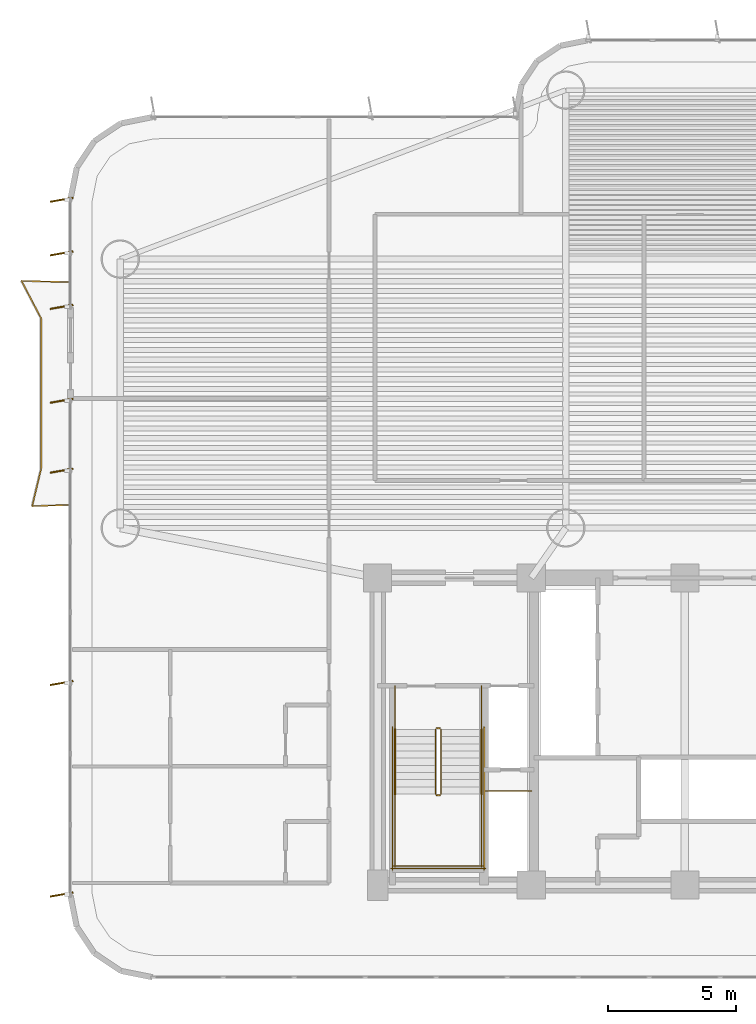
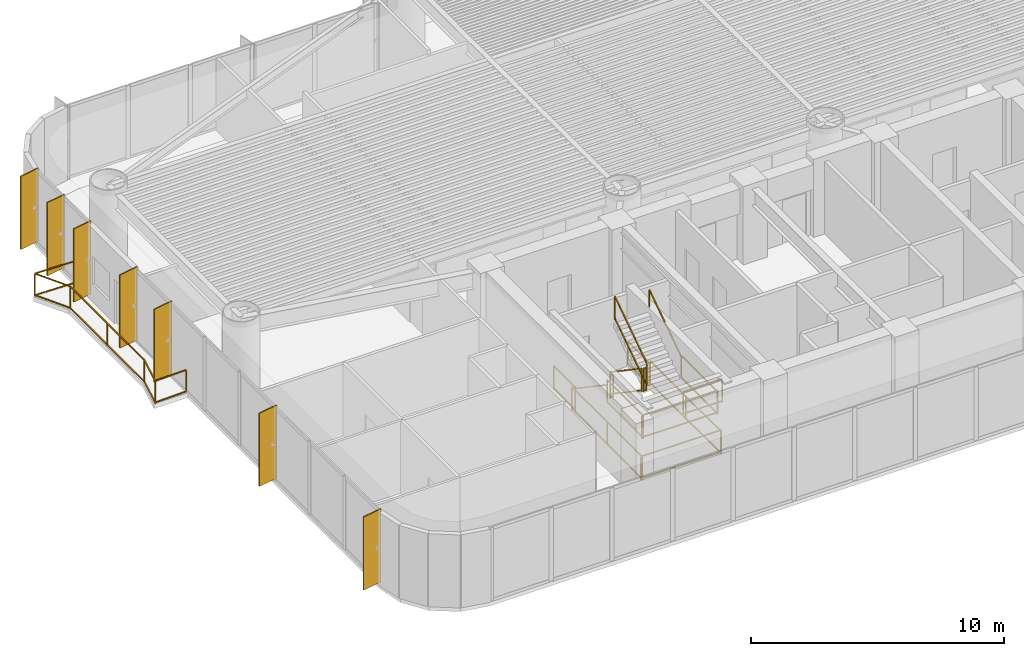
# One storey, part 14 of 17: 16 railings, 7 shading devices.
"""IFC4 building model written with IfcOpenShell, lengths in metres."""

from ifc_helpers import new_model, si_unit, direction, frame, origin, origin_2d, place, context, subcontext, project, spatial, rectangle, extrude, source, transform, mapped, material, layer, layer_set, material_profile, profile_set, type_object, element, save


model = new_model("IFC4")

# Units and contexts
model_context = context("Model", 3, precision=1e-05, world=origin(), true_north=direction((0.0, 1.0)))
body_context = subcontext(model_context, "Body", "Model", "MODEL_VIEW")
ifc_project = project(units=[si_unit("LENGTHUNIT", "METRE"), si_unit("AREAUNIT", "SQUARE_METRE"), si_unit("VOLUMEUNIT", "CUBIC_METRE"), si_unit("PLANEANGLEUNIT", "RADIAN"), si_unit("MASSUNIT", "GRAM", prefix="KILO")], contexts=[model_context])

# Site, building, storey
site_placement = place(None, origin())
site = spatial("IfcSite", under=ifc_project, at=site_placement, CompositionType="ELEMENT")
building_placement = place(site_placement, origin())
building = spatial("IfcBuilding", under=site, at=building_placement, Name="Brelvock Crest Care Tower", CompositionType="ELEMENT")
storey_placement = place(building_placement, frame((0.0, 0.0, 49.679931640625)))
storey = spatial("IfcBuildingStorey", under=building, at=storey_placement, Name="L12", CompositionType="ELEMENT", Elevation=49.679931640625)

# Railings
ifc_material_1 = material(Name="Dark Glass Double Glazed Low-E", Category="glass")
ifc_layer_1 = layer(ifc_material_1, 0.06005859375, Name="RL-BAL1")
ifc_layer_set_1 = layer_set([ifc_layer_1], Name="Dark Glass Double Glazed Low-E")
railing_type_1 = type_object("IfcRailingType", Name="RL-BAL1", PredefinedType="BALUSTRADE", material=ifc_layer_set_1)
railing_1_placement = place(storey_placement, frame((11.9599609375, 20.85009765625, 0.004150390625)))
element("IfcRailing", 1, at=railing_1_placement, inside=storey, type_object=railing_type_1, Name="L12 Safety Balustrade WB-W", PredefinedType="BALUSTRADE", context=body_context, shape_type="SweptSolid", body=[
    extrude(rectangle(XDim=0.048095703125, YDim=0.048095703125, at=origin_2d()), frame((-0.001953125, 0.0, 1.09619140625), z_axis=(-0.999404799616, -0.034497050669, 0.0), x_axis=(0.034497050669, -0.999404799616, 0.0)), (0.0, 0.0, 1.0), 1.44677734375),
    extrude(rectangle(XDim=0.048095703125, YDim=0.048095703125, at=origin_2d()), frame((-0.001953125, 0.0, 0.054931640625), z_axis=(-0.999404799616, -0.034497050669, 0.0), x_axis=(0.034497050669, -0.999404799616, 0.0)), (0.0, 0.0, 1.0), 1.44677734375),
    extrude(rectangle(XDim=0.048095703125, YDim=0.048095703125, at=origin_2d()), frame((-1.449462890625, -0.048095703125, 1.09619140625), z_axis=(0.232196944837, 0.972668791937, 0.0), x_axis=(-0.972668791937, 0.232196944837, 0.0)), (0.0, 0.0, 1.0), 1.503662109375),
    extrude(rectangle(XDim=0.048095703125, YDim=0.048095703125, at=origin_2d()), frame((-1.449462890625, -0.048095703125, 0.054931640625), z_axis=(0.232196944837, 0.972668791937, 0.0), x_axis=(-0.972668791937, 0.232196944837, 0.0)), (0.0, 0.0, 1.0), 1.503662109375),
    extrude(rectangle(XDim=0.048095703125, YDim=0.048095703125, at=origin_2d()), frame((-1.099853515625, 1.41845703125, 1.09619140625), z_axis=(-0.000124843944, 0.999999992207, 0.0), x_axis=(-0.999999992207, -0.000124843944, 0.0)), (0.0, 0.0, 1.0), 5.86279296875),
    extrude(rectangle(XDim=0.048095703125, YDim=0.048095703125, at=origin_2d()), frame((-1.099853515625, 1.41845703125, 0.054931640625), z_axis=(-0.000124843944, 0.999999992207, 0.0), x_axis=(-0.999999992207, -0.000124843944, 0.0)), (0.0, 0.0, 1.0), 5.86279296875),
    extrude(rectangle(XDim=0.048095703125, YDim=0.048095703125, at=origin_2d()), frame((-1.1015625, 7.284912109375, 1.09619140625), z_axis=(-0.463191013929, 0.88625847506, 0.0), x_axis=(-0.88625847506, -0.463191013929, 0.0)), (0.0, 0.0, 1.0), 1.651123046875),
    extrude(rectangle(XDim=0.048095703125, YDim=0.048095703125, at=origin_2d()), frame((-1.1015625, 7.284912109375, 0.054931640625), z_axis=(-0.463191013929, 0.88625847506, 0.0), x_axis=(-0.88625847506, -0.463191013929, 0.0)), (0.0, 0.0, 1.0), 1.651123046875),
    extrude(rectangle(XDim=0.048095703125, YDim=0.048095703125, at=origin_2d()), frame((-1.865234375, 8.75, 1.09619140625), z_axis=(0.999640955712, -0.026794769341, 0.0), x_axis=(0.026794769341, 0.999640955712, 0.0)), (0.0, 0.0, 1.0), 1.86376953125),
    extrude(rectangle(XDim=0.048095703125, YDim=0.048095703125, at=origin_2d()), frame((-1.865234375, 8.75, 0.054931640625), z_axis=(0.999640955712, -0.026794769341, 0.0), x_axis=(0.026794769341, 0.999640955712, 0.0)), (0.0, 0.0, 1.0), 1.86376953125),
    extrude(rectangle(XDim=0.0419921875, YDim=0.0419921875, at=origin_2d()), origin(), (0.0, 0.0, 1.0), 1.070068359375),
    extrude(rectangle(XDim=0.0419921875, YDim=0.0419921875, at=origin_2d()), frame((-1.449951171875, -0.050048828125, 0.0)), (0.0, 0.0, 1.0), 1.070068359375),
    extrude(rectangle(XDim=0.0419921875, YDim=0.0419921875, at=origin_2d()), frame((-1.099853515625, 1.41650390625, 0.0)), (0.0, 0.0, 1.0), 1.070068359375),
    extrude(rectangle(XDim=0.0419921875, YDim=0.0419921875, at=origin_2d()), frame((-1.10009765625, 4.349853515625, 0.0)), (0.0, 0.0, 1.0), 1.070068359375),
    extrude(rectangle(XDim=0.0419921875, YDim=0.0419921875, at=origin_2d()), frame((-1.1005859375, 7.283203125, 0.0)), (0.0, 0.0, 1.0), 1.070068359375),
    extrude(rectangle(XDim=0.0419921875, YDim=0.0419921875, at=origin_2d()), frame((-1.8671875, 8.75, 0.0)), (0.0, 0.0, 1.0), 1.070068359375),
    extrude(rectangle(XDim=0.0419921875, YDim=0.0419921875, at=origin_2d()), frame((0.0, 8.699951171875, 0.0)), (0.0, 0.0, 1.0), 1.070068359375),
])
ifc_material_2 = material(Name="Steel Grade 350", Category="steel")
ifc_layer_2 = layer(ifc_material_2, 0.050048828125, Name="RL-STG1")
ifc_layer_set_2 = layer_set([ifc_layer_2], Name="Steel Grade 350")
railing_type_2 = type_object("IfcRailingType", Name="RL-STG1", PredefinedType="GUARDRAIL", material=ifc_layer_set_2)
railing_2_placement = place(storey_placement, frame((26.260009765625, 12.080078125, 0.18896484375)))
element("IfcRailing", 2, at=railing_2_placement, inside=storey, type_object=railing_type_2, Name="L12 ST-1 stair guard 1", PredefinedType="GUARDRAIL", context=body_context, shape_type="SweptSolid", body=[
    extrude(rectangle(XDim=0.048095703125, YDim=0.048095703125, at=origin_2d()), frame((0.0, -0.001708984375, 1.116943359375), z_axis=(0.0, -0.82882447046, 0.559508710537), x_axis=(1.0, 0.0, 0.0)), (0.0, 0.0, 1.0), 3.036376953125),
    extrude(rectangle(XDim=0.048095703125, YDim=0.048095703125, at=origin_2d()), frame((0.0, -0.001708984375, 0.05615234375), z_axis=(0.0, -0.82882447046, 0.559508710537), x_axis=(1.0, 0.0, 0.0)), (0.0, 0.0, 1.0), 3.036376953125),
    extrude(rectangle(XDim=0.0419921875, YDim=0.0419921875, at=origin_2d()), origin(), (0.0, 0.0, 1.0), 1.08984375),
    extrude(rectangle(XDim=0.0419921875, YDim=0.0419921875, at=origin_2d()), frame((0.0, -2.52001953125, 1.701171875)), (0.0, 0.0, 1.0), 1.08984375),
])
railing_3_placement = place(storey_placement, frame((26.31005859375, 9.510009765625, 1.89013671875)))
element("IfcRailing", 3, at=railing_3_placement, inside=storey, type_object=railing_type_2, Name="L12 ST-1 stair guard 2", PredefinedType="GUARDRAIL", context=body_context, shape_type="SweptSolid", body=[
    extrude(rectangle(XDim=0.048095703125, YDim=0.048095703125, at=origin_2d()), frame((0.001953125, 0.0, 1.11572265625), z_axis=(1.0, 0.0, 0.0), x_axis=(0.0, 1.0, 0.0)), (0.0, 0.0, 1.0), 0.115966796875),
    extrude(rectangle(XDim=0.048095703125, YDim=0.048095703125, at=origin_2d()), frame((0.001953125, 0.0, 0.054931640625), z_axis=(1.0, 0.0, 0.0), x_axis=(0.0, 1.0, 0.0)), (0.0, 0.0, 1.0), 0.115966796875),
    extrude(rectangle(XDim=0.0419921875, YDim=0.0419921875, at=origin_2d()), origin(), (0.0, 0.0, 1.0), 1.08984375),
    extrude(rectangle(XDim=0.0419921875, YDim=0.0419921875, at=origin_2d()), frame((0.119873046875, 0.0, 0.0)), (0.0, 0.0, 1.0), 1.08984375),
])
for number, where, name in (
    (4, (24.679931640625, 9.56005859375, 1.89013671875), "L12 ST-1 stair guard 3"),
    (5, (28.06005859375, 9.56005859375, 1.89013671875), "L12 ST-1 stair guard 4"),
):
    element("IfcRailing", number, at=place(storey_placement, frame(where)), inside=storey, type_object=railing_type_2, Name=name, PredefinedType="GUARDRAIL", context=body_context, shape_type="SweptSolid", body=[
        extrude(rectangle(XDim=0.048095703125, YDim=0.048095703125, at=origin_2d()), frame((0.0, -0.001953125, 1.11572265625), z_axis=(0.0, -1.0, 0.0), x_axis=(1.0, 0.0, 0.0)), (0.0, 0.0, 1.0), 2.856201171875),
        extrude(rectangle(XDim=0.048095703125, YDim=0.048095703125, at=origin_2d()), frame((0.0, -0.001953125, 0.054931640625), z_axis=(0.0, -1.0, 0.0), x_axis=(1.0, 0.0, 0.0)), (0.0, 0.0, 1.0), 2.856201171875),
        extrude(rectangle(XDim=0.0419921875, YDim=0.0419921875, at=origin_2d()), origin(), (0.0, 0.0, 1.0), 1.08984375),
        extrude(rectangle(XDim=0.0419921875, YDim=0.0419921875, at=origin_2d()), frame((0.0, -2.860107421875, 0.0)), (0.0, 0.0, 1.0), 1.08984375),
    ])
railing_4_placement = place(storey_placement, frame((24.6298828125, 6.75, 1.89013671875)))
element("IfcRailing", 6, at=railing_4_placement, inside=storey, type_object=railing_type_2, Name="L12 ST-1 stair guard 5", PredefinedType="GUARDRAIL", context=body_context, shape_type="SweptSolid", body=[
    extrude(rectangle(XDim=0.048095703125, YDim=0.048095703125, at=origin_2d()), frame((0.001953125, 0.0, 1.11572265625), z_axis=(1.0, 0.0, 0.0), x_axis=(0.0, 1.0, 0.0)), (0.0, 0.0, 1.0), 3.476318359375),
    extrude(rectangle(XDim=0.048095703125, YDim=0.048095703125, at=origin_2d()), frame((0.001953125, 0.0, 0.054931640625), z_axis=(1.0, 0.0, 0.0), x_axis=(0.0, 1.0, 0.0)), (0.0, 0.0, 1.0), 3.476318359375),
    extrude(rectangle(XDim=0.0419921875, YDim=0.0419921875, at=origin_2d()), origin(), (0.0, 0.0, 1.0), 1.08984375),
    extrude(rectangle(XDim=0.0419921875, YDim=0.0419921875, at=origin_2d()), frame((3.480224609375, 0.0, 0.0)), (0.0, 0.0, 1.0), 1.08984375),
])
railing_5_placement = place(storey_placement, frame((26.47998046875, 9.56005859375, 2.0791015625)))
element("IfcRailing", 7, at=railing_5_placement, inside=storey, type_object=railing_type_2, Name="L12 ST-1 stair guard 6", PredefinedType="GUARDRAIL", context=body_context, shape_type="SweptSolid", body=[
    extrude(rectangle(XDim=0.048095703125, YDim=0.048095703125, at=origin_2d()), frame((0.0, 0.001708984375, 1.116943359375), z_axis=(0.0, 0.828861706735, 0.559453546873), x_axis=(-1.0, 0.0, 0.0)), (0.0, 0.0, 1.0), 3.036376953125),
    extrude(rectangle(XDim=0.048095703125, YDim=0.048095703125, at=origin_2d()), frame((0.0, 0.001708984375, 0.05615234375), z_axis=(0.0, 0.828861706735, 0.559453546873), x_axis=(-1.0, 0.0, 0.0)), (0.0, 0.0, 1.0), 3.036376953125),
    extrude(rectangle(XDim=0.0419921875, YDim=0.0419921875, at=origin_2d()), origin(), (0.0, 0.0, 1.0), 1.08984375),
    extrude(rectangle(XDim=0.0419921875, YDim=0.0419921875, at=origin_2d()), frame((0.0, 2.52001953125, 1.700927734375)), (0.0, 0.0, 1.0), 1.08984375),
])
railing_6_placement = place(storey_placement, frame((26.31005859375, 12.1298828125, 0.0)))
element("IfcRailing", 8, at=railing_6_placement, inside=storey, type_object=railing_type_2, Name="L12 ST-1 stair guard 7", PredefinedType="GUARDRAIL", context=body_context, shape_type="SweptSolid", body=[
    extrude(rectangle(XDim=0.048095703125, YDim=0.048095703125, at=origin_2d()), frame((0.001953125, 0.0, 1.11572265625), z_axis=(1.0, 0.0, 0.0), x_axis=(0.0, 1.0, 0.0)), (0.0, 0.0, 1.0), 0.115966796875),
    extrude(rectangle(XDim=0.048095703125, YDim=0.048095703125, at=origin_2d()), frame((0.001953125, 0.0, 0.054931640625), z_axis=(1.0, 0.0, 0.0), x_axis=(0.0, 1.0, 0.0)), (0.0, 0.0, 1.0), 0.115966796875),
    extrude(rectangle(XDim=0.0419921875, YDim=0.0419921875, at=origin_2d()), origin(), (0.0, 0.0, 1.0), 1.08984375),
    extrude(rectangle(XDim=0.0419921875, YDim=0.0419921875, at=origin_2d()), frame((0.119873046875, 0.0, 0.0)), (0.0, 0.0, 1.0), 1.08984375),
])
for number, where, name in (
    (9, (24.679931640625, 13.780029296875, 0.0), "L12 ST-1 stair guard 8"),
    (10, (28.06005859375, 13.780029296875, 0.0), "L12 ST-1 stair guard 9"),
):
    element("IfcRailing", number, at=place(storey_placement, frame(where)), inside=storey, type_object=railing_type_2, Name=name, PredefinedType="GUARDRAIL", context=body_context, shape_type="SweptSolid", body=[
        extrude(rectangle(XDim=0.048095703125, YDim=0.048095703125, at=origin_2d()), frame((0.0, -0.001953125, 1.11572265625), z_axis=(0.0, -1.0, 0.0), x_axis=(1.0, 0.0, 0.0)), (0.0, 0.0, 1.0), 1.696044921875),
        extrude(rectangle(XDim=0.048095703125, YDim=0.048095703125, at=origin_2d()), frame((0.0, -0.001953125, 0.054931640625), z_axis=(0.0, -1.0, 0.0), x_axis=(1.0, 0.0, 0.0)), (0.0, 0.0, 1.0), 1.696044921875),
        extrude(rectangle(XDim=0.0419921875, YDim=0.0419921875, at=origin_2d()), origin(), (0.0, 0.0, 1.0), 1.08984375),
        extrude(rectangle(XDim=0.0419921875, YDim=0.0419921875, at=origin_2d()), frame((0.0, -1.699951171875, 0.0)), (0.0, 0.0, 1.0), 1.08984375),
    ])
for number, where, name in (
    (11, (24.580078125, 12.179931640625, 0.0), "L12 ST-1 stair guard 10"),
    (12, (28.159912109375, 12.179931640625, 0.0), "L12 ST-1 stair guard 11"),
):
    element("IfcRailing", number, at=place(storey_placement, frame(where)), inside=storey, type_object=railing_type_2, Name=name, PredefinedType="GUARDRAIL", context=body_context, shape_type="SweptSolid", body=[
        extrude(rectangle(XDim=0.048095703125, YDim=0.048095703125, at=origin_2d()), frame((0.0, -0.001953125, 1.11572265625), z_axis=(0.0, -1.0, 0.0), x_axis=(1.0, 0.0, 0.0)), (0.0, 0.0, 1.0), 5.575927734375),
        extrude(rectangle(XDim=0.048095703125, YDim=0.048095703125, at=origin_2d()), frame((0.0, -0.001953125, 0.054931640625), z_axis=(0.0, -1.0, 0.0), x_axis=(1.0, 0.0, 0.0)), (0.0, 0.0, 1.0), 5.575927734375),
        extrude(rectangle(XDim=0.0419921875, YDim=0.0419921875, at=origin_2d()), origin(), (0.0, 0.0, 1.0), 1.08984375),
        extrude(rectangle(XDim=0.0419921875, YDim=0.0419921875, at=origin_2d()), frame((0.0, -2.7900390625, 0.0)), (0.0, 0.0, 1.0), 1.08984375),
        extrude(rectangle(XDim=0.0419921875, YDim=0.0419921875, at=origin_2d()), frame((0.0, -5.579833984375, 0.0)), (0.0, 0.0, 1.0), 1.08984375),
    ])
railing_7_placement = place(storey_placement, frame((24.530029296875, 6.64990234375, 0.0)))
element("IfcRailing", 13, at=railing_7_placement, inside=storey, type_object=railing_type_2, Name="L12 ST-1 stair guard 12", PredefinedType="GUARDRAIL", context=body_context, shape_type="SweptSolid", body=[
    extrude(rectangle(XDim=0.048095703125, YDim=0.048095703125, at=origin_2d()), frame((0.001953125, 0.0, 1.11572265625), z_axis=(1.0, 0.0, 0.0), x_axis=(0.0, 1.0, 0.0)), (0.0, 0.0, 1.0), 3.676025390625),
    extrude(rectangle(XDim=0.048095703125, YDim=0.048095703125, at=origin_2d()), frame((0.001953125, 0.0, 0.054931640625), z_axis=(1.0, 0.0, 0.0), x_axis=(0.0, 1.0, 0.0)), (0.0, 0.0, 1.0), 3.676025390625),
    extrude(rectangle(XDim=0.0419921875, YDim=0.0419921875, at=origin_2d()), origin(), (0.0, 0.0, 1.0), 1.08984375),
    extrude(rectangle(XDim=0.0419921875, YDim=0.0419921875, at=origin_2d()), frame((3.679931640625, 0.0, 0.0)), (0.0, 0.0, 1.0), 1.08984375),
])
railing_8_placement = place(storey_placement, frame((28.219970703125, 9.679931640625, 0.0)))
element("IfcRailing", 14, at=railing_8_placement, inside=storey, type_object=railing_type_2, Name="L12 Fire Riser Threshold Guard", PredefinedType="GUARDRAIL", context=body_context, shape_type="SweptSolid", body=[
    extrude(rectangle(XDim=0.048095703125, YDim=0.048095703125, at=origin_2d()), frame((0.001953125, 0.0, 1.11572265625), z_axis=(1.0, 0.0, 0.0), x_axis=(0.0, 1.0, 0.0)), (0.0, 0.0, 1.0), 1.776123046875),
    extrude(rectangle(XDim=0.048095703125, YDim=0.048095703125, at=origin_2d()), frame((0.001953125, 0.0, 0.054931640625), z_axis=(1.0, 0.0, 0.0), x_axis=(0.0, 1.0, 0.0)), (0.0, 0.0, 1.0), 1.776123046875),
    extrude(rectangle(XDim=0.0419921875, YDim=0.0419921875, at=origin_2d()), origin(), (0.0, 0.0, 1.0), 1.08984375),
    extrude(rectangle(XDim=0.0419921875, YDim=0.0419921875, at=origin_2d()), frame((1.780029296875, 0.0, 0.0)), (0.0, 0.0, 1.0), 1.08984375),
])
ifc_layer_3 = layer(ifc_material_2, 0.048095703125, Name="RL-STH1")
ifc_layer_set_3 = layer_set([ifc_layer_3], Name="Steel Grade 350")
railing_type_3 = type_object("IfcRailingType", Name="RL-STH1", PredefinedType="HANDRAIL", material=ifc_layer_set_3)
railing_9_placement = place(storey_placement, frame((24.679931640625, 12.080078125, 0.18896484375)))
element("IfcRailing", 15, at=railing_9_placement, inside=storey, type_object=railing_type_3, Name="L12 ST-1 stair handrail 1", PredefinedType="HANDRAIL", context=body_context, shape_type="SweptSolid", body=[
    extrude(rectangle(XDim=0.048095703125, YDim=0.048095703125, at=origin_2d()), frame((0.0, -0.001708984375, 0.876953125), z_axis=(0.0, -0.82882447046, 0.559508710537), x_axis=(1.0, 0.0, 0.0)), (0.0, 0.0, 1.0), 3.036376953125),
    extrude(rectangle(XDim=0.0419921875, YDim=0.0419921875, at=origin_2d()), origin(), (0.0, 0.0, 1.0), 0.849853515625),
    extrude(rectangle(XDim=0.0419921875, YDim=0.0419921875, at=origin_2d()), frame((0.0, -2.52001953125, 1.701171875)), (0.0, 0.0, 1.0), 0.849853515625),
])
railing_10_placement = place(storey_placement, frame((28.06005859375, 9.56005859375, 2.0791015625)))
element("IfcRailing", 16, at=railing_10_placement, inside=storey, type_object=railing_type_3, Name="L12 ST-1 stair handrail 2", PredefinedType="HANDRAIL", context=body_context, shape_type="SweptSolid", body=[
    extrude(rectangle(XDim=0.048095703125, YDim=0.048095703125, at=origin_2d()), frame((0.0, 0.001708984375, 0.876953125), z_axis=(0.0, 0.828861706735, 0.559453546873), x_axis=(-1.0, 0.0, 0.0)), (0.0, 0.0, 1.0), 3.036376953125),
    extrude(rectangle(XDim=0.0419921875, YDim=0.0419921875, at=origin_2d()), origin(), (0.0, 0.0, 1.0), 0.849853515625),
    extrude(rectangle(XDim=0.0419921875, YDim=0.0419921875, at=origin_2d()), frame((0.0, 2.52001953125, 1.700927734375)), (0.0, 0.0, 1.0), 0.849853515625),
])

# Shading devices
ifc_material_3 = material(Name="Aluminium 6063-T6", Category="aluminium")
ifc_material_profile = material_profile(ifc_material_3, rectangle(XDim=0.054931640625, YDim=0.89990234375, at=origin_2d()), Name="FIN55x900")
ifc_profile_set = profile_set([ifc_material_profile], Name="Aluminium 6063-T6")
shading_device_type = type_object("IfcShadingDeviceType", Name="SHD-FIN1", PredefinedType="USERDEFINED", material=ifc_profile_set)
shared_shape = source(origin(), body_context, "Body", "SweptSolid", [
    extrude(rectangle(XDim=0.054931640625, YDim=0.89990234375, at=origin_2d()), origin(), (0.0, 0.0, 1.0), 3.530029296875),
])
for number, where, z_axis, x_axis, name in (
    (17, (11.659912109375, 5.632568359375, 0.0), (0.0, 0.0, 1.0), (-0.173648177667, 0.984807753012, 0.0), "L12 Vertical Sunshade Fin E13A-01"),
    (18, (11.659912109375, 13.892822265625, 0.0), (0.0, 0.0, 1.0), (-0.173648177667, 0.984807753012, 0.0), "L12 Vertical Sunshade Fin E13A-04"),
    (19, (11.659912109375, 22.185791015625, 0.0), (0.0, 0.0, 1.0), (-0.173648177667, 0.984807753012, 0.0), "L12 Vertical Sunshade Fin E13A-07"),
    (20, (11.659912109375, 24.91748046875, 0.0), (0.0, 0.0, 1.0), (-0.173648177667, 0.984807753012, 0.0), "L12 Vertical Sunshade Fin E13A-08"),
    (21, (11.659912109375, 28.58251953125, 0.0), (0.0, 0.0, 1.0), (-0.173648177667, 0.984807753012, 0.0), "L12 Vertical Sunshade Fin E13B-01"),
    (22, (11.659912109375, 30.675048828125, 0.0), (0.0, 0.0, 1.0), (-0.173648177667, 0.984807753012, 0.0), "L12 Vertical Sunshade Fin E13B-02"),
    (23, (11.659912109375, 32.767578125, 0.0), (0.0, 0.0, 1.0), (-0.173648177667, 0.984807753012, 0.0), "L12 Vertical Sunshade Fin E13B-03"),
):
    element("IfcShadingDevice", number, at=place(storey_placement, frame(where, z_axis=z_axis, x_axis=x_axis)), inside=storey, type_object=shading_device_type, Name=name, ObjectType="FIN", PredefinedType="USERDEFINED", context=body_context, shape_type="MappedRepresentation", body=[
        mapped(shared_shape, transform((0.0, 0.0, 0.0), x_axis=(1.0, 0.0, 0.0), y_axis=(0.0, 1.0, 0.0), z_axis=(0.0, 0.0, 1.0), scale=1.0)),
    ])

save(model, "model.ifc")
